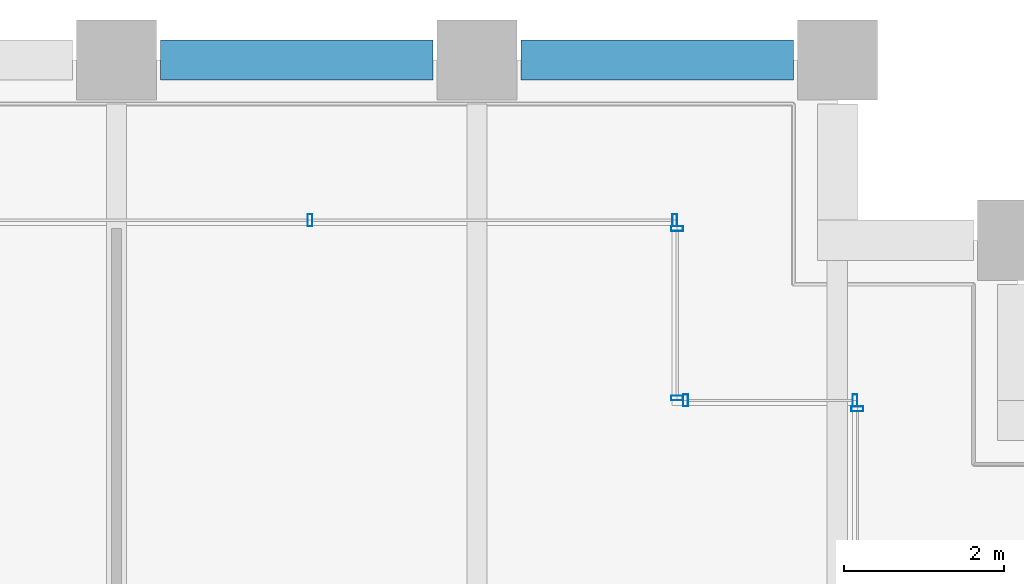
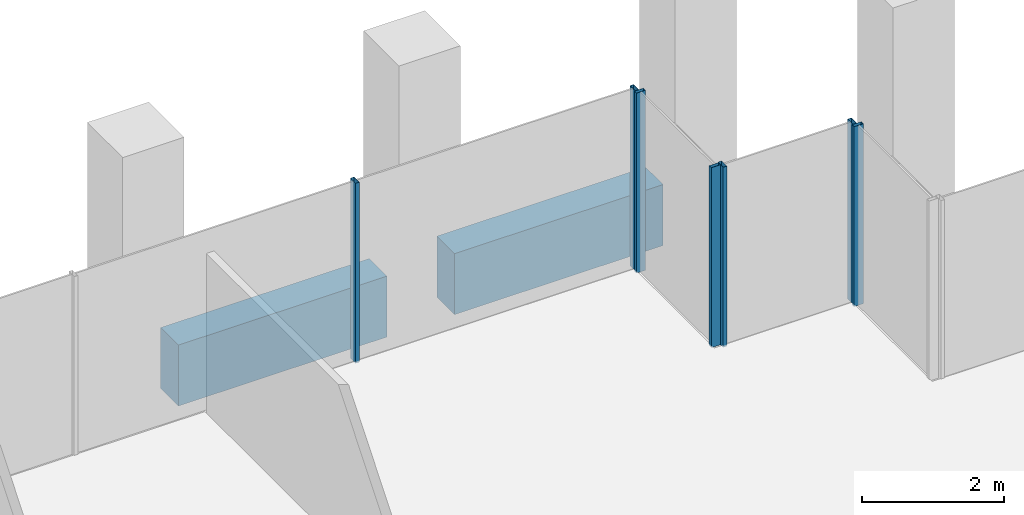
# One storey, part 28 of 52: 7 members, 2 beams, 4 elements without a shape of their own.
"""IFC4 building model written with IfcOpenShell, lengths in metres."""

from ifc_helpers import new_model, si_unit, direction, frame, origin, origin_2d, place, context, subcontext, project, spatial, rectangle, hollow_rectangle, extrude, material, material_profile, profile_set, type_object, element, aggregate, save


model = new_model("IFC4")

# Units and contexts
model_context = context("Model", 3, precision=1e-05, world=origin(), true_north=direction((0.0, 1.0)))
body_context = subcontext(model_context, "Body", "Model", "MODEL_VIEW")
ifc_project = project(units=[si_unit("LENGTHUNIT", "METRE"), si_unit("AREAUNIT", "SQUARE_METRE"), si_unit("VOLUMEUNIT", "CUBIC_METRE"), si_unit("PLANEANGLEUNIT", "RADIAN"), si_unit("MASSUNIT", "GRAM", prefix="KILO")], contexts=[model_context])

# Site, building, storey
site_placement = place(None, origin())
site = spatial("IfcSite", under=ifc_project, at=site_placement, CompositionType="ELEMENT")
building_placement = place(site_placement, origin())
building = spatial("IfcBuilding", under=site, at=building_placement, Name="Altepetl Exchange Towers", CompositionType="ELEMENT")
storey_placement = place(building_placement, frame((0.0, 0.0, 92.0)))
storey = spatial("IfcBuildingStorey", under=building, at=storey_placement, Name="L22", CompositionType="ELEMENT", Elevation=92.0)

# Curtain wall, member
ifc_material_1 = material(Name="Aluminium 6063-T6 glazing", Category="aluminium")
curtain_wall_type = type_object("IfcCurtainWallType", Name="Loggia glazing system", PredefinedType="NOTDEFINED", material=ifc_material_1)
curtain_wall_1_placement = place(storey_placement, origin())
curtain_wall_1 = element("IfcCurtainWall", 1, at=curtain_wall_1_placement, inside=storey, type_object=curtain_wall_type, Name="CW1 run", PredefinedType="NOTDEFINED")
ifc_material_2 = material(Name="Aluminium 6063-T6", Category="aluminium")
ifc_material_profile_1 = material_profile(ifc_material_2, hollow_rectangle(XDim=0.06005859375, YDim=0.14990234375, WallThickness=0.0029296875, at=origin_2d()), Name="Mullion 60x150 aluminium")
ifc_profile_set_1 = profile_set([ifc_material_profile_1], Name="Aluminium 6063-T6")
member_type = type_object("IfcMemberType", Name="Mullion 60x150 aluminium", PredefinedType="MULLION", material=ifc_profile_set_1)
member_1_placement = place(storey_placement, frame((67.75, 67.64501953125, 0.0), z_axis=(0.0, 0.0, 1.0), x_axis=(0.0, 1.0, 0.0)))
member_1 = element("IfcMember", 2, at=member_1_placement, type_object=member_type, Name="MU1 mullion", PredefinedType="MULLION", context=body_context, shape_type="SweptSolid", body=[
    extrude(hollow_rectangle(XDim=0.06005859375, YDim=0.14990234375, WallThickness=0.0029296875, at=origin_2d()), origin(), (0.0, 0.0, 1.0), 3.10009765625),
])
aggregate(curtain_wall_1, [member_1])

# Curtain wall, members
curtain_wall_2_placement = place(storey_placement, origin())
curtain_wall_2 = element("IfcCurtainWall", 3, at=curtain_wall_2_placement, inside=storey, type_object=curtain_wall_type, Name="CW1 run", PredefinedType="NOTDEFINED")
member_2_placement = place(storey_placement, frame((67.719970703125, 67.75, 0.0), z_axis=(0.0, 0.0, 1.0), x_axis=(-1.0, 0.0, 0.0)))
member_2 = element("IfcMember", 4, at=member_2_placement, type_object=member_type, Name="MU1 mullion", PredefinedType="MULLION", context=body_context, shape_type="SweptSolid", body=[
    extrude(hollow_rectangle(XDim=0.06005859375, YDim=0.14990234375, WallThickness=0.0029296875, at=origin_2d()), origin(), (0.0, 0.0, 1.0), 3.10009765625),
])
member_3_placement = place(storey_placement, frame((65.60498046875, 67.75, 0.0), z_axis=(0.0, 0.0, 1.0), x_axis=(-1.0, 0.0, 0.0)))
member_3 = element("IfcMember", 5, at=member_3_placement, type_object=member_type, Name="MU1 mullion", PredefinedType="MULLION", context=body_context, shape_type="SweptSolid", body=[
    extrude(hollow_rectangle(XDim=0.06005859375, YDim=0.14990234375, WallThickness=0.0029296875, at=origin_2d()), origin(), (0.0, 0.0, 1.0), 3.10009765625),
])
aggregate(curtain_wall_2, [member_2, member_3])

curtain_wall_3_placement = place(storey_placement, origin())
curtain_wall_3 = element("IfcCurtainWall", 6, at=curtain_wall_3_placement, inside=storey, type_object=curtain_wall_type, Name="CW1 run", PredefinedType="NOTDEFINED")
member_4_placement = place(storey_placement, frame((65.5, 67.780029296875, 0.0), z_axis=(0.0, 0.0, 1.0), x_axis=(0.0, 1.0, 0.0)))
member_4 = element("IfcMember", 7, at=member_4_placement, type_object=member_type, Name="MU1 mullion", PredefinedType="MULLION", context=body_context, shape_type="SweptSolid", body=[
    extrude(hollow_rectangle(XDim=0.06005859375, YDim=0.14990234375, WallThickness=0.0029296875, at=origin_2d()), origin(), (0.0, 0.0, 1.0), 3.10009765625),
])
member_5_placement = place(storey_placement, frame((65.5, 69.89501953125, 0.0), z_axis=(0.0, 0.0, 1.0), x_axis=(0.0, 1.0, 0.0)))
member_5 = element("IfcMember", 8, at=member_5_placement, type_object=member_type, Name="MU1 mullion", PredefinedType="MULLION", context=body_context, shape_type="SweptSolid", body=[
    extrude(hollow_rectangle(XDim=0.06005859375, YDim=0.14990234375, WallThickness=0.0029296875, at=origin_2d()), origin(), (0.0, 0.0, 1.0), 3.10009765625),
])
aggregate(curtain_wall_3, [member_4, member_5])

curtain_wall_4_placement = place(storey_placement, origin())
curtain_wall_4 = element("IfcCurtainWall", 9, at=curtain_wall_4_placement, inside=storey, type_object=curtain_wall_type, Name="CW1 run", PredefinedType="NOTDEFINED")
member_6_placement = place(storey_placement, frame((65.469970703125, 70.0, 0.0), z_axis=(0.0, 0.0, 1.0), x_axis=(-1.0, 0.0, 0.0)))
member_6 = element("IfcMember", 10, at=member_6_placement, type_object=member_type, Name="MU1 mullion", PredefinedType="MULLION", context=body_context, shape_type="SweptSolid", body=[
    extrude(hollow_rectangle(XDim=0.06005859375, YDim=0.14990234375, WallThickness=0.0029296875, at=origin_2d()), origin(), (0.0, 0.0, 1.0), 3.10009765625),
])
member_7_placement = place(storey_placement, frame((60.9150390625, 70.0, 0.0), z_axis=(0.0, 0.0, 1.0), x_axis=(-1.0, 0.0, 0.0)))
member_7 = element("IfcMember", 11, at=member_7_placement, type_object=member_type, Name="MU1 mullion", PredefinedType="MULLION", context=body_context, shape_type="SweptSolid", body=[
    extrude(hollow_rectangle(XDim=0.06005859375, YDim=0.14990234375, WallThickness=0.0029296875, at=origin_2d()), origin(), (0.0, 0.0, 1.0), 3.10009765625),
])
aggregate(curtain_wall_4, [member_6, member_7])

# Beams
ifc_material_3 = material(Name="Concrete C50/60 precast with cantera rosa facing", Category="concrete")
ifc_material_profile_2 = material_profile(ifc_material_3, rectangle(XDim=0.5, YDim=1.050048828125, at=origin_2d()), Name="500 x 1050")
ifc_profile_set_2 = profile_set([ifc_material_profile_2], Name="Concrete C50/60 precast with cantera rosa facing")
beam_type = type_object("IfcBeamType", Name="Spandrel beam 500x1050 cantera rosa", PredefinedType="SPANDREL", material=ifc_profile_set_2)
for number, where, z_axis, x_axis, name in (
    (12, (66.949951171875, 72.0, -0.675048828125), (-1.0, 0.0, 0.0), (0.0, -1.0, 0.0), "sp:A:L22:024"),
    (13, (62.449951171875, 72.0, -0.675048828125), (-1.0, 0.0, 0.0), (0.0, -1.0, 0.0), "sp:A:L22:025"),
):
    element("IfcBeam", number, at=place(storey_placement, frame(where, z_axis=z_axis, x_axis=x_axis)), inside=storey, type_object=beam_type, Name=name, PredefinedType="SPANDREL", context=body_context, shape_type="SweptSolid", body=[
        extrude(rectangle(XDim=0.5, YDim=1.050048828125, at=origin_2d()), origin(), (0.0, 0.0, 1.0), 3.39990234375),
    ])

save(model, "model.ifc")
